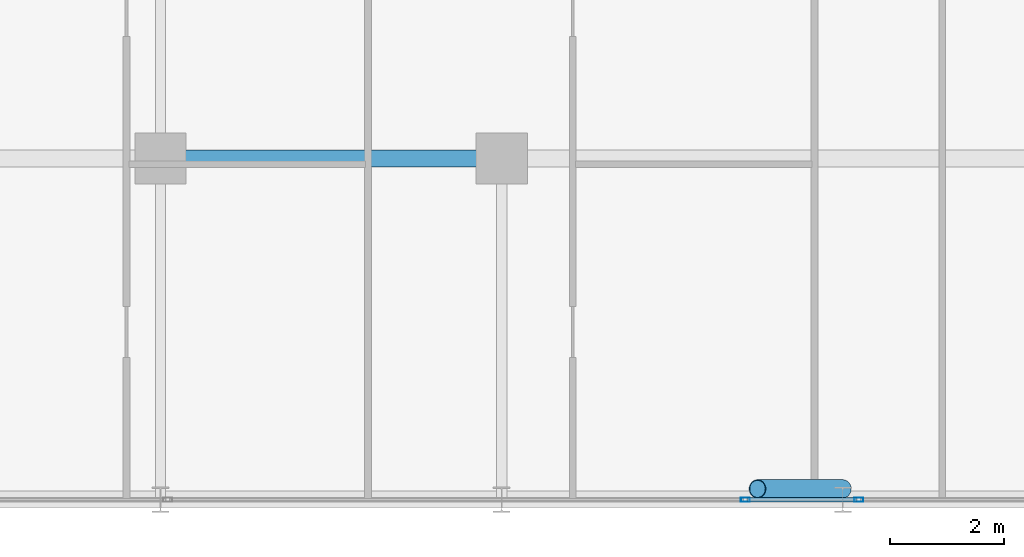
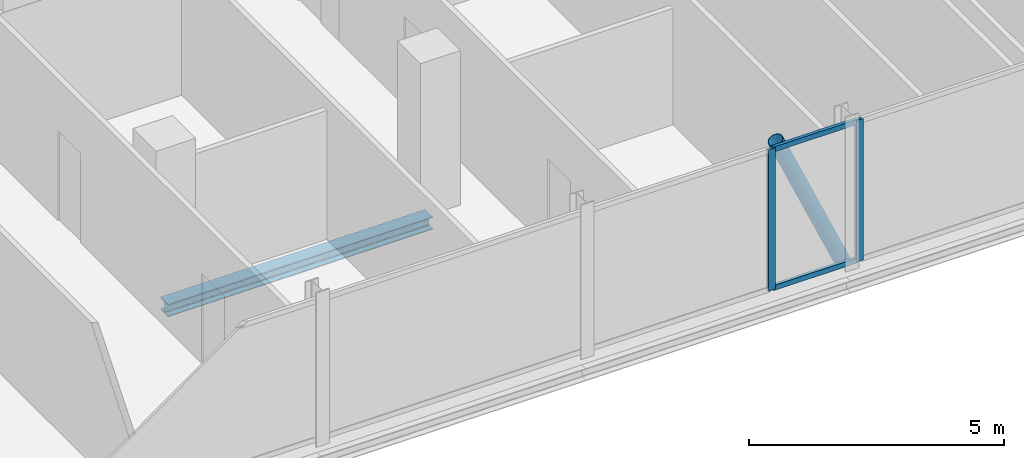
# One storey, part 10 of 29: 5 members, 1 beam, 2 elements without a shape of their own.
"""IFC4 building model written with IfcOpenShell, lengths in metres."""

from ifc_helpers import new_model, si_unit, direction, frame, origin, origin_2d, place, context, subcontext, project, spatial, hollow_rectangle, hollow_circle, i_section, extrude, material, layer, layer_set, material_profile, profile_set, type_object, element, aggregate, save


model = new_model("IFC4")

# Units and contexts
model_context = context("Model", 3, precision=1e-05, world=origin(), true_north=direction((0.0, 1.0)))
body_context = subcontext(model_context, "Body", "Model", "MODEL_VIEW")
ifc_project = project(units=[si_unit("LENGTHUNIT", "METRE"), si_unit("AREAUNIT", "SQUARE_METRE"), si_unit("VOLUMEUNIT", "CUBIC_METRE"), si_unit("PLANEANGLEUNIT", "RADIAN"), si_unit("MASSUNIT", "GRAM", prefix="KILO")], contexts=[model_context])

# Site, building, storey
site_placement = place(None, origin())
site = spatial("IfcSite", under=ifc_project, at=site_placement, CompositionType="ELEMENT")
building_placement = place(site_placement, origin())
building = spatial("IfcBuilding", under=site, at=building_placement, Name="Keshet Zoharim Tower", CompositionType="ELEMENT")
storey_placement = place(building_placement, frame((0.0, 0.0, 199.5)))
storey = spatial("IfcBuildingStorey", under=building, at=storey_placement, Name="L49", CompositionType="ELEMENT", Elevation=199.5)

# Beam
ifc_material_1 = material(Name="Steel S355", Category="steel")
ifc_material_profile_1 = material_profile(ifc_material_1, i_section(OverallWidth=0.300048828125, OverallDepth=0.300048828125, WebThickness=0.010986328125, FlangeThickness=0.01904296875, FilletRadius=0.027099609375, at=origin_2d()), Name="HEB300")
ifc_profile_set_1 = profile_set([ifc_material_profile_1], Name="Steel S355")
beam_type = type_object("IfcBeamType", Name="BM-PRI-HB300", PredefinedType="BEAM", material=ifc_profile_set_1)
beam_placement = place(storey_placement, frame((33.0, 6.699951171875, -0.4599609375), z_axis=(1.0, 0.0, 0.0), x_axis=(0.0, 1.0, 0.0)))
element("IfcBeam", 1, at=beam_placement, inside=storey, type_object=beam_type, Name="L49 Primary Girder X-007", PredefinedType="BEAM", context=body_context, shape_type="SweptSolid", body=[
    extrude(i_section(OverallWidth=0.300048828125, OverallDepth=0.300048828125, WebThickness=0.010986328125, FlangeThickness=0.01904296875, FilletRadius=0.027099609375, at=origin_2d()), origin(), (0.0, 0.0, 1.0), 6.0),
])

# Curtain wall, member
ifc_material_2 = material(Name="Aluminium 6063-T6", Category="aluminium")
ifc_layer = layer(ifc_material_2, 0.139892578125)
ifc_layer_set = layer_set([ifc_layer], Name="Aluminium 6063-T6")
curtain_wall_type = type_object("IfcCurtainWallType", Name="CW-SYS-05", PredefinedType="NOTDEFINED", material=ifc_layer_set)
curtain_wall_1_placement = place(storey_placement, origin())
curtain_wall_1 = element("IfcCurtainWall", 2, at=curtain_wall_1_placement, inside=storey, type_object=curtain_wall_type, Name="L49 Unitised Curtain Wall 06", PredefinedType="NOTDEFINED")
ifc_material_profile_2 = material_profile(ifc_material_2, hollow_rectangle(XDim=0.074951171875, YDim=0.159912109375, WallThickness=0.00390625, at=origin_2d()), Name="MUL-75x160")
ifc_profile_set_2 = profile_set([ifc_material_profile_2], Name="Aluminium 6063-T6")
member_type_1 = type_object("IfcMemberType", Name="CWM-M15", PredefinedType="MULLION", material=ifc_profile_set_2)
member_1_placement = place(storey_placement, frame((45.283203125, 0.699951171875, 0.0), z_axis=(0.0, 0.0, 1.0), x_axis=(0.0, -1.0, 0.0)))
member_1 = element("IfcMember", 3, at=member_1_placement, type_object=member_type_1, Name="CW-05 mullion 2", PredefinedType="MULLION", context=body_context, shape_type="SweptSolid", body=[
    extrude(hollow_rectangle(XDim=0.074951171875, YDim=0.159912109375, WallThickness=0.00390625, at=origin_2d()), origin(), (0.0, 0.0, 1.0), 3.389892578125),
])
aggregate(curtain_wall_1, [member_1])

# Curtain wall, members
curtain_wall_2_placement = place(storey_placement, origin())
curtain_wall_2 = element("IfcCurtainWall", 4, at=curtain_wall_2_placement, inside=storey, type_object=curtain_wall_type, Name="L49 Unitised Curtain Wall 06 Part 2", PredefinedType="NOTDEFINED")
member_2_placement = place(storey_placement, frame((43.286865234375, 0.699951171875, 0.0), z_axis=(0.0, 0.0, 1.0), x_axis=(0.0, -1.0, 0.0)))
member_2 = element("IfcMember", 5, at=member_2_placement, type_object=member_type_1, Name="CW-05 mullion 2", PredefinedType="MULLION", context=body_context, shape_type="SweptSolid", body=[
    extrude(hollow_rectangle(XDim=0.074951171875, YDim=0.159912109375, WallThickness=0.00390625, at=origin_2d()), origin(), (0.0, 0.0, 1.0), 3.389892578125),
])
ifc_material_profile_3 = material_profile(ifc_material_2, hollow_rectangle(XDim=0.074951171875, YDim=0.1201171875, WallThickness=0.00390625, at=origin_2d()), Name="TRN-75x120")
ifc_profile_set_3 = profile_set([ifc_material_profile_3], Name="Aluminium 6063-T6")
member_type_2 = type_object("IfcMemberType", Name="CWT-T12", PredefinedType="USERDEFINED", material=ifc_profile_set_3)
member_3_placement = place(storey_placement, frame((45.248046875, 0.699951171875, 0.034912109375), z_axis=(-1.0, 0.0, 0.0), x_axis=(0.0, -1.0, 0.0)))
member_3 = element("IfcMember", 6, at=member_3_placement, type_object=member_type_2, Name="CW-05 transom 1.1", ObjectType="TRANSOM", PredefinedType="USERDEFINED", context=body_context, shape_type="SweptSolid", body=[
    extrude(hollow_rectangle(XDim=0.074951171875, YDim=0.1201171875, WallThickness=0.00390625, at=origin_2d()), origin(), (0.0, 0.0, 1.0), 1.926025390625),
])
member_4_placement = place(storey_placement, frame((45.248046875, 0.699951171875, 3.35498046875), z_axis=(-1.0, 0.0, 0.0), x_axis=(0.0, -1.0, 0.0)))
member_4 = element("IfcMember", 7, at=member_4_placement, type_object=member_type_2, Name="CW-05 transom 1.2", ObjectType="TRANSOM", PredefinedType="USERDEFINED", context=body_context, shape_type="SweptSolid", body=[
    extrude(hollow_rectangle(XDim=0.074951171875, YDim=0.1201171875, WallThickness=0.00390625, at=origin_2d()), origin(), (0.0, 0.0, 1.0), 1.926025390625),
])
aggregate(curtain_wall_2, [member_2, member_3, member_4])

# Member
ifc_material_profile_4 = material_profile(ifc_material_1, hollow_circle(Radius=0.161865234375, WallThickness=0.012451171875, at=origin_2d()), Name="CHS323x12.5")
ifc_profile_set_4 = profile_set([ifc_material_profile_4], Name="Steel S355")
member_type_3 = type_object("IfcMemberType", Name="MB-BR-C323", PredefinedType="BRACE", material=ifc_profile_set_4)
member_5_placement = place(storey_placement, frame((45.0, 0.889892578125, 0.0), z_axis=(-0.40464689807, 0.0, 0.914473011019), x_axis=(0.0, -1.0, 0.0)))
element("IfcMember", 8, at=member_5_placement, inside=storey, type_object=member_type_3, Name="L49 Perimeter Tube Brace 03", PredefinedType="BRACE", context=body_context, shape_type="SweptSolid", body=[
    extrude(hollow_circle(Radius=0.161865234375, WallThickness=0.012451171875, at=origin_2d()), origin(), (0.0, 0.0, 1.0), 3.70703125),
])

save(model, "model.ifc")
